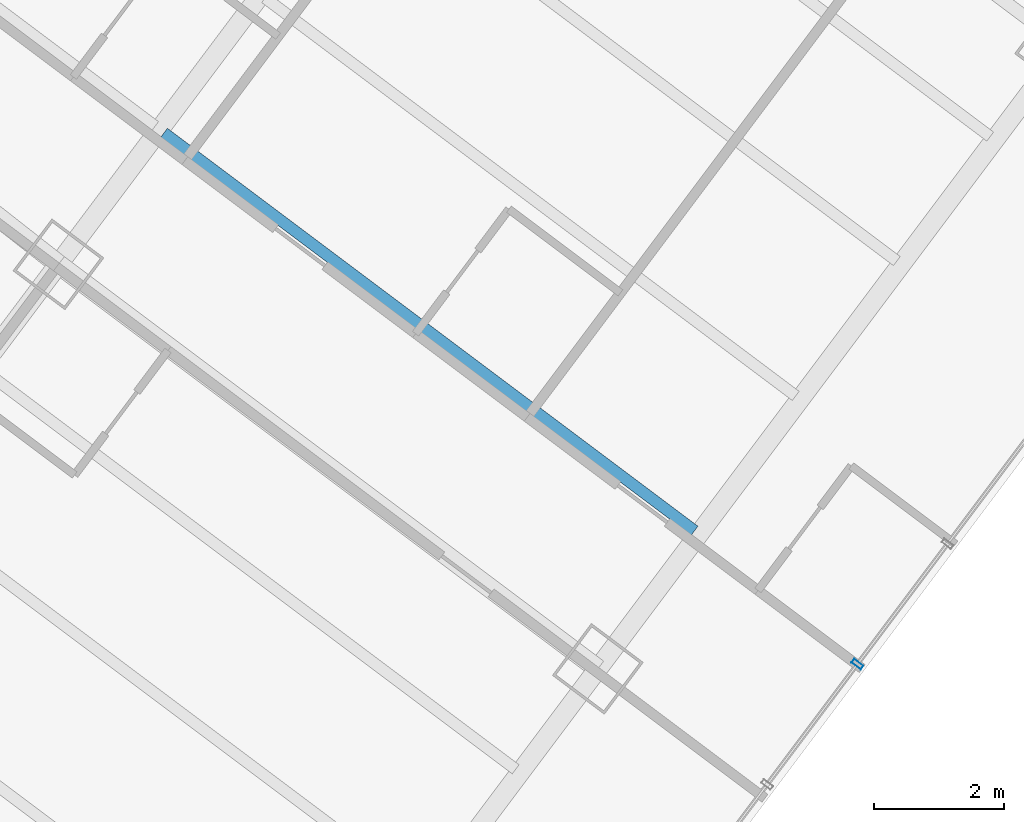
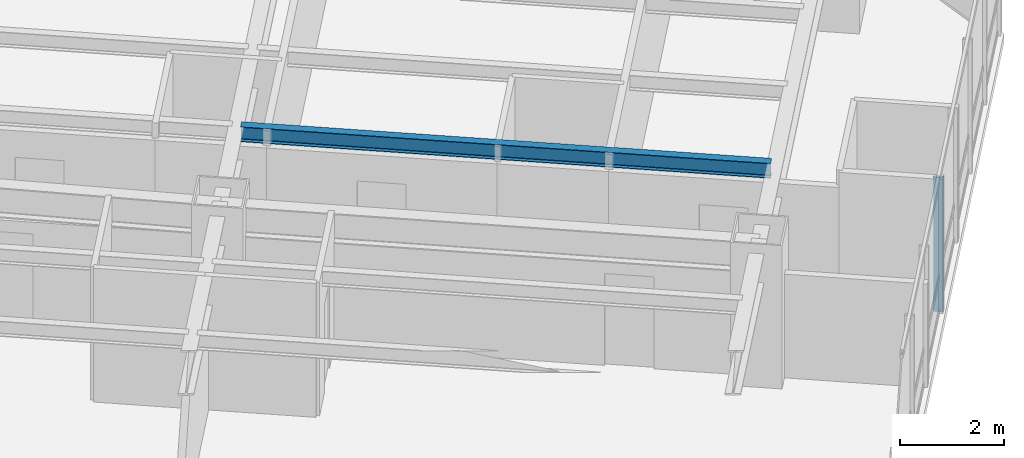
# One storey, part 10 of 33: 1 beam, 1 member, 1 element without a shape of its own.
"""IFC4 building model written with IfcOpenShell, lengths in metres."""

from ifc_helpers import new_model, si_unit, direction, frame, origin, origin_2d, place, context, subcontext, project, spatial, hollow_rectangle, i_section, extrude, material, layer, layer_set, material_profile, profile_set, type_object, element, aggregate, save


model = new_model("IFC4")

# Units and contexts
model_context = context("Model", 3, precision=1e-05, world=origin(), true_north=direction((0.0, 1.0)))
body_context = subcontext(model_context, "Body", "Model", "MODEL_VIEW")
ifc_project = project(units=[si_unit("LENGTHUNIT", "METRE"), si_unit("AREAUNIT", "SQUARE_METRE"), si_unit("VOLUMEUNIT", "CUBIC_METRE"), si_unit("PLANEANGLEUNIT", "RADIAN"), si_unit("MASSUNIT", "GRAM", prefix="KILO")], contexts=[model_context])

# Site, building, storey
site_placement = place(None, origin())
site = spatial("IfcSite", under=ifc_project, at=site_placement, CompositionType="ELEMENT")
building_placement = place(site_placement, origin())
building = spatial("IfcBuilding", under=site, at=building_placement, Name="Hatsunagi Terrace Concourse", CompositionType="ELEMENT")
storey_placement = place(building_placement, frame((0.0, 0.0, 53.35009765625)))
storey = spatial("IfcBuildingStorey", under=building, at=storey_placement, Name="L13", CompositionType="ELEMENT", Elevation=53.35009765625)

# Curtain wall, member
ifc_material_1 = material(Name="Anodised Aluminium Alloy 6063-T5", Category="aluminium")
ifc_layer = layer(ifc_material_1, 0.199951171875)
ifc_layer_set = layer_set([ifc_layer], Name="HotelFacade_CW02")
curtain_wall_type = type_object("IfcCurtainWallType", Name="HotelFacade_CW02", PredefinedType="NOTDEFINED", material=ifc_layer_set)
curtain_wall_placement = place(storey_placement, origin())
curtain_wall = element("IfcCurtainWall", 1, at=curtain_wall_placement, inside=storey, type_object=curtain_wall_type, Name="Unitised Curtain Wall CW-02 CW-L13-03", PredefinedType="NOTDEFINED")
ifc_material_2 = material(Name="Anodised Aluminium Alloy 6063-T5", Category="aluminium")
ifc_material_profile_1 = material_profile(ifc_material_2, hollow_rectangle(XDim=0.070068359375, YDim=0.179931640625, WallThickness=0.00390625, at=origin_2d()), Name="ALU-MUL-180x70x4")
ifc_profile_set_1 = profile_set([ifc_material_profile_1], Name="Anodised Aluminium Alloy 6063-T5")
member_type = type_object("IfcMemberType", Name="CurtainWallMullion_180x70", PredefinedType="MULLION", material=ifc_profile_set_1)
member_placement = place(storey_placement, frame((63.52392578125, 12.23193359375, 0.0), z_axis=(0.0, 0.0, 1.0), x_axis=(-0.599969314634, -0.800023013105, 0.0)))
member = element("IfcMember", 2, at=member_placement, type_object=member_type, Name="Curtain Wall Mullion MUL-02", PredefinedType="MULLION", context=body_context, shape_type="SweptSolid", body=[
    extrude(hollow_rectangle(XDim=0.070068359375, YDim=0.179931640625, WallThickness=0.00390625, at=origin_2d()), origin(), (0.0, 0.0, 1.0), 3.1298828125),
])
aggregate(curtain_wall, [member])

# Beam
ifc_material_3 = material(Name="Steel SN490B", Category="steel")
ifc_material_profile_2 = material_profile(ifc_material_3, i_section(OverallWidth=0.175048828125, OverallDepth=0.35009765625, WebThickness=0.007080078125, FlangeThickness=0.010986328125, FilletRadius=0.012939453125, at=origin_2d()), Name="H-350x175x7x11")
ifc_profile_set_2 = profile_set([ifc_material_profile_2], Name="Steel SN490B")
beam_type = type_object("IfcBeamType", Name="HotelJoist_H_350x175", PredefinedType="JOIST", material=ifc_profile_set_2)
beam_placement = place(storey_placement, frame((52.827880859375, 20.428955078125, 2.954833984375), z_axis=(0.800005727586, -0.599992363142, 0.0), x_axis=(0.599992363142, 0.800005727586, 0.0)))
element("IfcBeam", 3, at=beam_placement, inside=storey, type_object=beam_type, Name="Beam J-02 J-L13-SE-3-142", PredefinedType="JOIST", context=body_context, shape_type="SweptSolid", body=[
    extrude(i_section(OverallWidth=0.175048828125, OverallDepth=0.35009765625, WebThickness=0.007080078125, FlangeThickness=0.010986328125, FilletRadius=0.012939453125, at=origin_2d()), origin(), (0.0, 0.0, 1.0), 10.22998046875),
])

save(model, "model.ifc")
